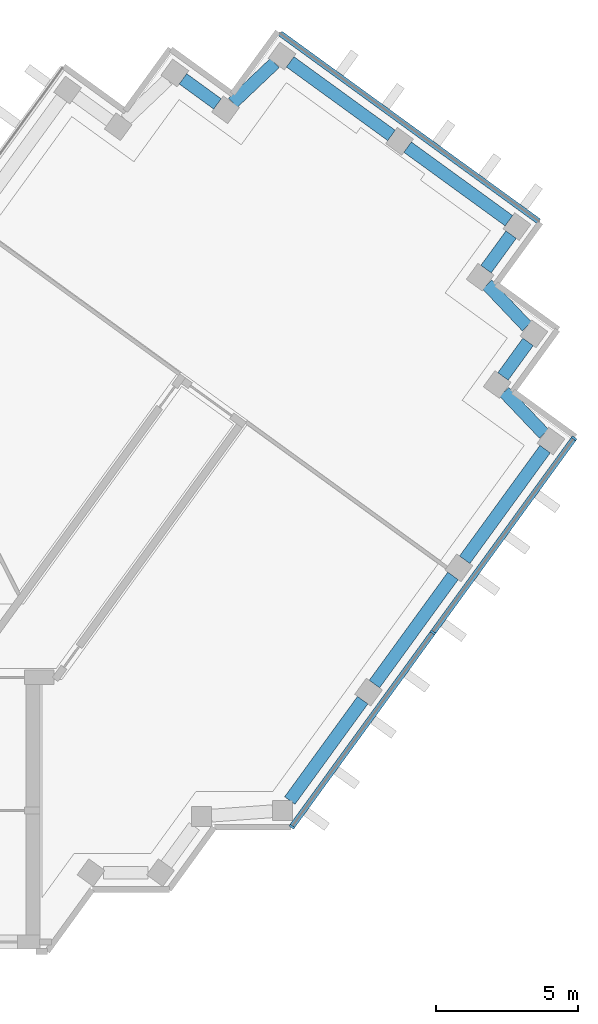
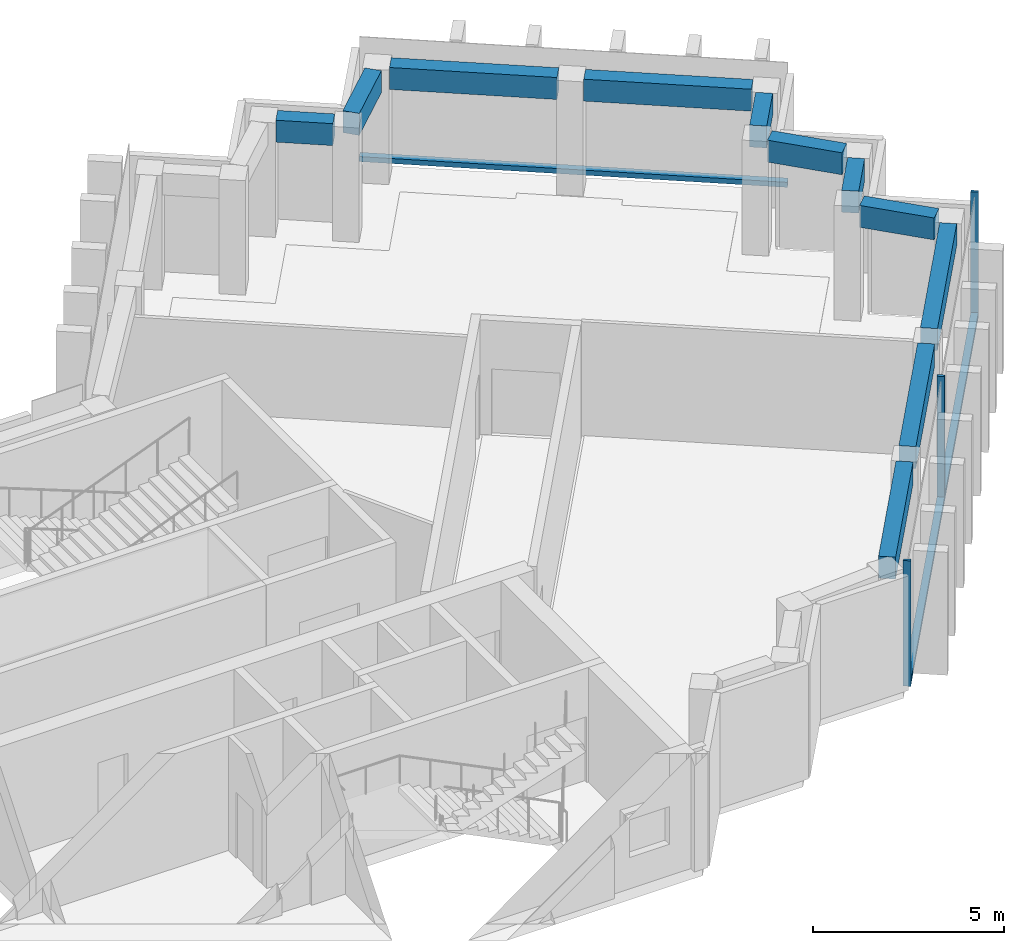
"""IFC4 building model written with IfcOpenShell, lengths in metres."""

from ifc_helpers import new_model, si_unit, direction, frame, origin, origin_2d, place, context, subcontext, project, spatial, rectangle, extrude, material, material_profile, profile_set, type_object, element, aggregate, save


model = new_model("IFC4")

# Units and contexts
model_context = context("Model", 3, precision=1e-05, world=origin(), true_north=direction((0.0, 1.0)))
body_context = subcontext(model_context, "Body", "Model", "MODEL_VIEW")
ifc_project = project(units=[si_unit("LENGTHUNIT", "METRE"), si_unit("AREAUNIT", "SQUARE_METRE"), si_unit("VOLUMEUNIT", "CUBIC_METRE"), si_unit("PLANEANGLEUNIT", "RADIAN"), si_unit("MASSUNIT", "GRAM", prefix="KILO")], contexts=[model_context])

# Site, building, storey
site_placement = place(None, origin())
site = spatial("IfcSite", under=ifc_project, at=site_placement, CompositionType="ELEMENT")
building_placement = place(site_placement, origin())
building = spatial("IfcBuilding", under=site, at=building_placement, Name="Quipu Civic Tower", CompositionType="ELEMENT")
storey_1_placement = place(building_placement, frame((0.0, 0.0, 307.0)))
storey_1 = spatial("IfcBuildingStorey", under=building, at=storey_1_placement, Name="L71", CompositionType="ELEMENT", Elevation=307.0)

# Curtain wall, members
ifc_material_1 = material(Name="Insulated glass unit", Category="glass")
curtain_wall_type = type_object("IfcCurtainWallType", Name="Office curtain wall CW1", PredefinedType="NOTDEFINED", material=ifc_material_1)
curtain_wall_1_placement = place(storey_1_placement, origin())
curtain_wall_1 = element("IfcCurtainWall", 1, at=curtain_wall_1_placement, inside=storey_1, type_object=curtain_wall_type, Name="Office curtain wall CW1 L71 run 1", PredefinedType="NOTDEFINED")
ifc_material_2 = material(Name="Anodised aluminium", Category="aluminium")
ifc_material_profile_1 = material_profile(ifc_material_2, rectangle(XDim=0.199951171875, YDim=0.080078125, at=origin_2d()), Name="RECT 200x80")
ifc_profile_set_1 = profile_set([ifc_material_profile_1], Name="Anodised aluminium")
member_type_1 = type_object("IfcMemberType", Name="Mullion CW1", PredefinedType="MULLION", material=ifc_profile_set_1)
member_1_placement = place(storey_1_placement, frame((28.853271484375, -6.698974609375, 0.080078125), z_axis=(0.0, 0.0, 1.0), x_axis=(-0.809016278475, 0.587786237643, 0.0)))
member_1 = element("IfcMember", 2, at=member_1_placement, type_object=member_type_1, Name="CW1 mullion 1", PredefinedType="MULLION", context=body_context, shape_type="SweptSolid", body=[
    extrude(rectangle(XDim=0.199951171875, YDim=0.080078125, at=origin_2d()), origin(), (0.0, 0.0, 1.0), 4.0),
])
member_2_placement = place(storey_1_placement, frame((33.81298828125, 0.12744140625, 0.080078125), z_axis=(0.0, 0.0, 1.0), x_axis=(-0.809016278475, 0.587786237643, 0.0)))
member_2 = element("IfcMember", 3, at=member_2_placement, type_object=member_type_1, Name="CW1 mullion 2", PredefinedType="MULLION", context=body_context, shape_type="SweptSolid", body=[
    extrude(rectangle(XDim=0.199951171875, YDim=0.080078125, at=origin_2d()), origin(), (0.0, 0.0, 1.0), 4.0),
])
member_3_placement = place(storey_1_placement, frame((38.772705078125, 6.953857421875, 0.080078125), z_axis=(0.0, 0.0, 1.0), x_axis=(-0.809016278475, 0.587786237643, 0.0)))
member_3 = element("IfcMember", 4, at=member_3_placement, type_object=member_type_1, Name="CW1 mullion 3", PredefinedType="MULLION", context=body_context, shape_type="SweptSolid", body=[
    extrude(rectangle(XDim=0.199951171875, YDim=0.080078125, at=origin_2d()), origin(), (0.0, 0.0, 1.0), 4.0),
])

# Beams
ifc_material_3 = material(Name="Concrete C50/60", Category="concrete")
ifc_material_profile_2 = material_profile(ifc_material_3, rectangle(XDim=0.449951171875, YDim=0.699951171875, at=origin_2d()), Name="RC450x700")
ifc_profile_set_2 = profile_set([ifc_material_profile_2], Name="Concrete C50/60")
beam_type = type_object("IfcBeamType", Name="Spandrel beam RC 450x700 C50/60", PredefinedType="SPANDREL", material=ifc_profile_set_2)
beam_1_placement = place(storey_1_placement, frame((28.779296875, -5.780029296875, 3.300048828125), z_axis=(0.58777550284, 0.809024077677, 0.0), x_axis=(-0.809024077677, 0.58777550284, 0.0)))
element("IfcBeam", 5, at=beam_1_placement, inside=storey_1, type_object=beam_type, Name="Spandrel beam L71 J-Eo.4 to E-OUT-01", PredefinedType="SPANDREL", context=body_context, shape_type="SweptSolid", body=[
    extrude(rectangle(XDim=0.449951171875, YDim=0.699951171875, at=origin_2d()), origin(), (0.0, 0.0, 1.0), 4.36083984375),
])
beam_2_placement = place(storey_1_placement, frame((31.75390625, -1.685546875, 3.300048828125), z_axis=(0.587788656305, 0.809014521204, 0.0), x_axis=(-0.809014521204, 0.587788656305, 0.0)))
element("IfcBeam", 6, at=beam_2_placement, inside=storey_1, type_object=beam_type, Name="Spandrel beam L71 E-OUT-01 to E-OUT-02", PredefinedType="SPANDREL", context=body_context, shape_type="SweptSolid", body=[
    extrude(rectangle(XDim=0.449951171875, YDim=0.699951171875, at=origin_2d()), origin(), (0.0, 0.0, 1.0), 4.7001953125),
])
beam_3_placement = place(storey_1_placement, frame((34.927978515625, 2.68310546875, 3.300048828125), z_axis=(0.587905928359, 0.808929304328, 0.0), x_axis=(-0.808929304328, 0.587905928359, 0.0)))
element("IfcBeam", 7, at=beam_3_placement, inside=storey_1, type_object=beam_type, Name="Spandrel beam L71 E-OUT-02 to T-Eo.0-E22", PredefinedType="SPANDREL", context=body_context, shape_type="SweptSolid", body=[
    extrude(rectangle(XDim=0.449951171875, YDim=0.699951171875, at=origin_2d()), origin(), (0.0, 0.0, 1.0), 4.80712890625),
])
beam_4_placement = place(storey_1_placement, frame((37.71484375, 7.11279296875, 3.300048828125), z_axis=(-0.689175330605, 0.724594620244, 0.0), x_axis=(-0.724594620244, -0.689175330605, 0.0)))
element("IfcBeam", 8, at=beam_4_placement, inside=storey_1, type_object=beam_type, Name="Spandrel beam L71 T-Eo.0-E22 to T-Eo.1-E22", PredefinedType="SPANDREL", context=body_context, shape_type="SweptSolid", body=[
    extrude(rectangle(XDim=0.449951171875, YDim=0.699951171875, at=origin_2d()), origin(), (0.0, 0.0, 1.0), 2.033447265625),
])
beam_5_placement = place(storey_1_placement, frame((36.273681640625, 9.12744140625, 3.300048828125), z_axis=(0.587164895097, 0.809467347066, 0.0), x_axis=(-0.809467347066, 0.587164895097, 0.0)))
element("IfcBeam", 9, at=beam_5_placement, inside=storey_1, type_object=beam_type, Name="Spandrel beam L71 T-Eo.1-E22 to T-Eo.2-E22", PredefinedType="SPANDREL", context=body_context, shape_type="SweptSolid", body=[
    extrude(rectangle(XDim=0.449951171875, YDim=0.699951171875, at=origin_2d()), origin(), (0.0, 0.0, 1.0), 1.500244140625),
])
beam_6_placement = place(storey_1_placement, frame((37.114990234375, 10.88330078125, 3.300048828125), z_axis=(-0.688247466856, 0.725475998477, 0.0), x_axis=(-0.725475998477, -0.688247466856, 0.0)))
element("IfcBeam", 10, at=beam_6_placement, inside=storey_1, type_object=beam_type, Name="Spandrel beam L71 T-Eo.2-E22 to T-Eo.3-E22", PredefinedType="SPANDREL", context=body_context, shape_type="SweptSolid", body=[
    extrude(rectangle(XDim=0.449951171875, YDim=0.699951171875, at=origin_2d()), origin(), (0.0, 0.0, 1.0), 2.032958984375),
])
beam_7_placement = place(storey_1_placement, frame((35.6767578125, 12.8994140625, 3.300048828125), z_axis=(0.588345920092, 0.808609348394, 0.0), x_axis=(-0.808609348394, 0.588345920092, 0.0)))
element("IfcBeam", 11, at=beam_7_placement, inside=storey_1, type_object=beam_type, Name="Spandrel beam L71 T-Eo.3-E22 to T-Eo.4-E22", PredefinedType="SPANDREL", context=body_context, shape_type="SweptSolid", body=[
    extrude(rectangle(XDim=0.449951171875, YDim=0.699951171875, at=origin_2d()), origin(), (0.0, 0.0, 1.0), 1.499755859375),
])
beam_8_placement = place(storey_1_placement, frame((36.481689453125, 14.6005859375, 3.300048828125), z_axis=(-0.809117270763, 0.587647208921, 0.0), x_axis=(-0.587647208921, -0.809117270763, 0.0)))
element("IfcBeam", 12, at=beam_8_placement, inside=storey_1, type_object=beam_type, Name="Spandrel beam L71 T-Eo.4-E22 to TIP-E-01-E22", PredefinedType="SPANDREL", context=body_context, shape_type="SweptSolid", body=[
    extrude(rectangle(XDim=0.449951171875, YDim=0.699951171875, at=origin_2d()), origin(), (0.0, 0.0, 1.0), 4.40185546875),
])
beam_9_placement = place(storey_1_placement, frame((32.353759765625, 17.5986328125, 3.300048828125), z_axis=(-0.809146152767, 0.587607439931, 0.0), x_axis=(-0.587607439931, -0.809146152767, 0.0)))
element("IfcBeam", 13, at=beam_9_placement, inside=storey_1, type_object=beam_type, Name="Spandrel beam L71 TIP-E-01-E22 to T-Ei.0-E22", PredefinedType="SPANDREL", context=body_context, shape_type="SweptSolid", body=[
    extrude(rectangle(XDim=0.449951171875, YDim=0.699951171875, at=origin_2d()), origin(), (0.0, 0.0, 1.0), 4.400390625),
])
beam_10_placement = place(storey_1_placement, frame((28.251708984375, 20.14501953125, 3.300048828125), z_axis=(-0.725359138958, -0.688370626574, 0.0), x_axis=(0.688370626574, -0.725359138958, 0.0)))
element("IfcBeam", 14, at=beam_10_placement, inside=storey_1, type_object=beam_type, Name="Spandrel beam L71 T-Ei.0-E22 to T-Ei.1-E22", PredefinedType="SPANDREL", context=body_context, shape_type="SweptSolid", body=[
    extrude(rectangle(XDim=0.449951171875, YDim=0.699951171875, at=origin_2d()), origin(), (0.0, 0.0, 1.0), 2.032958984375),
])
beam_11_placement = place(storey_1_placement, frame((26.236083984375, 18.70654296875, 3.300048828125), z_axis=(-0.808644589435, 0.588297482553, 0.0), x_axis=(-0.588297482553, -0.808644589435, 0.0)))
element("IfcBeam", 15, at=beam_11_placement, inside=storey_1, type_object=beam_type, Name="Spandrel beam L71 T-Ei.1-E22 to T-Ei.2-E22", PredefinedType="SPANDREL", context=body_context, shape_type="SweptSolid", body=[
    extrude(rectangle(XDim=0.449951171875, YDim=0.699951171875, at=origin_2d()), origin(), (0.0, 0.0, 1.0), 1.500244140625),
])

# Member
ifc_material_4 = material(Name="Anodised aluminium", Category="aluminium")
ifc_material_profile_3 = material_profile(ifc_material_4, rectangle(XDim=0.199951171875, YDim=0.159912109375, at=origin_2d()), Name="RECT 200x160")
ifc_profile_set_3 = profile_set([ifc_material_profile_3], Name="Anodised aluminium")
member_type_2 = type_object("IfcMemberType", Name="Transom CW1", PredefinedType="USERDEFINED", material=ifc_profile_set_3)
member_4_placement = place(storey_1_placement, frame((28.876708984375, -6.66650390625, 0.159912109375), z_axis=(0.587812107925, 0.808997481935, 0.0), x_axis=(-0.808997481935, 0.587812107925, 0.0)))
member_4 = element("IfcMember", 16, at=member_4_placement, type_object=member_type_2, Name="CW1 transom 1.1", ObjectType="TRANSOM", PredefinedType="USERDEFINED", context=body_context, shape_type="SweptSolid", body=[
    extrude(rectangle(XDim=0.199951171875, YDim=0.159912109375, at=origin_2d()), origin(), (0.0, 0.0, 1.0), 8.35791015625),
])

member_5_placement = place(storey_1_placement, frame((33.83642578125, 0.15966796875, 0.159912109375), z_axis=(0.587779098815, 0.809021465102, 0.0), x_axis=(-0.809021465102, 0.587779098815, 0.0)))
member_5 = element("IfcMember", 17, at=member_5_placement, type_object=member_type_2, Name="CW1 transom 2.1", ObjectType="TRANSOM", PredefinedType="USERDEFINED", context=body_context, shape_type="SweptSolid", body=[
    extrude(rectangle(XDim=0.199951171875, YDim=0.159912109375, at=origin_2d()), origin(), (0.0, 0.0, 1.0), 8.35791015625),
])

aggregate(curtain_wall_1, [member_1, member_2, member_3, member_4, member_5])

# Storey
storey_2_placement = place(building_placement, frame((0.0, 0.0, 311.0)))
storey_2 = spatial("IfcBuildingStorey", under=building, at=storey_2_placement, Name="L72", CompositionType="ELEMENT", Elevation=311.0)

# Curtain wall, member
curtain_wall_2_placement = place(storey_2_placement, origin())
curtain_wall_2 = element("IfcCurtainWall", 18, at=curtain_wall_2_placement, inside=storey_2, type_object=curtain_wall_type, Name="Office curtain wall CW1 L71 run 6", PredefinedType="NOTDEFINED")
member_6_placement = place(storey_1_placement, frame((37.536865234375, 14.575927734375, 0.159912109375), z_axis=(-0.809022463805, 0.587777724194, 0.0), x_axis=(-0.587777724194, -0.809022463805, 0.0)))
member_6 = element("IfcMember", 19, at=member_6_placement, inside=storey_1, type_object=member_type_2, Name="CW1 transom 1.1", ObjectType="TRANSOM", PredefinedType="USERDEFINED", context=body_context, shape_type="SweptSolid", body=[
    extrude(rectangle(XDim=0.199951171875, YDim=0.159912109375, at=origin_2d()), origin(), (0.0, 0.0, 1.0), 11.240234375),
])
aggregate(curtain_wall_2, [member_6])

save(model, "model.ifc")
